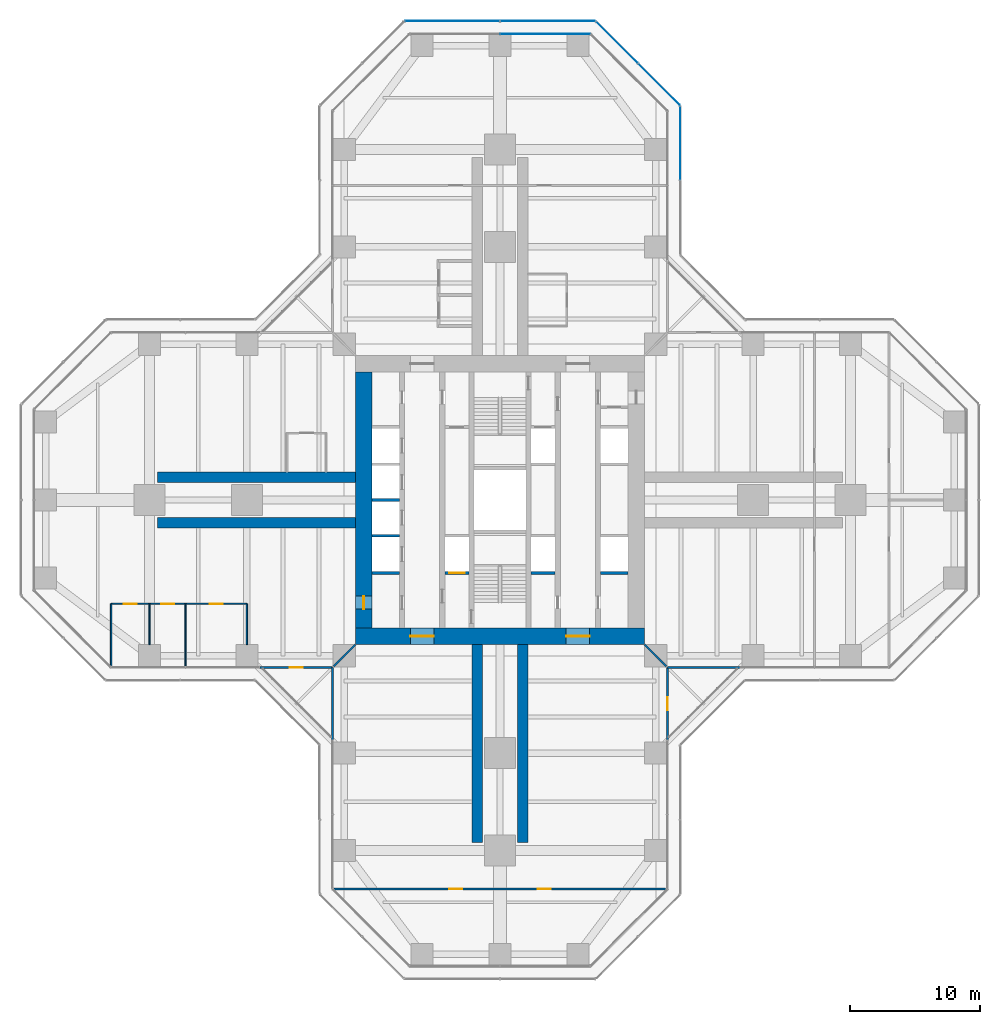
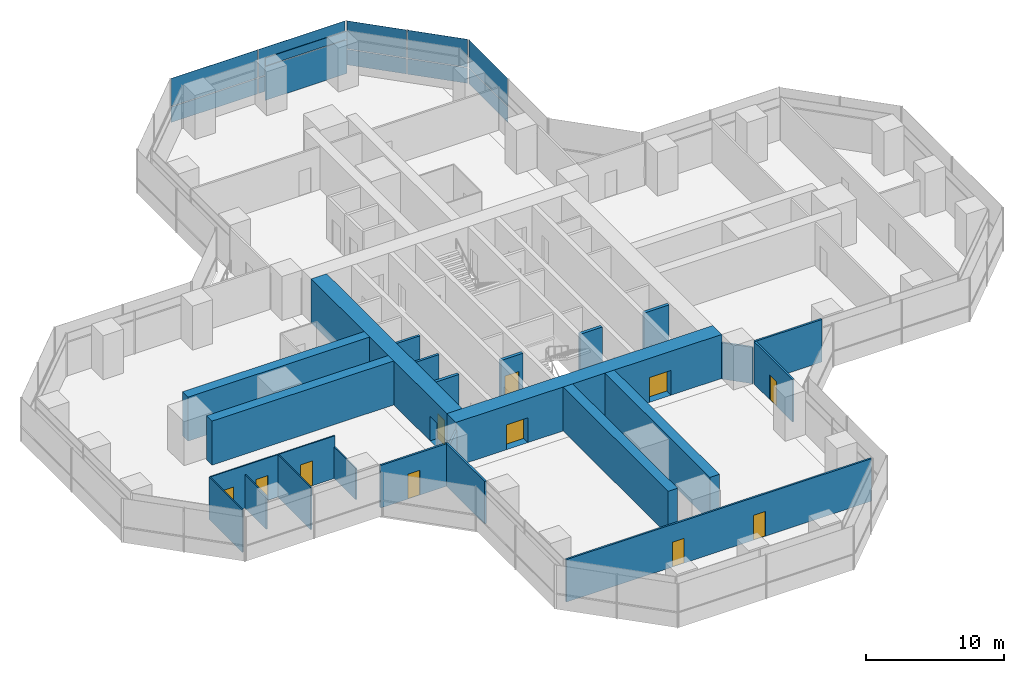
# One storey, part 17 of 22: 24 walls, 12 plates, 11 doors, 11 openings, 4 elements without a shape of their own.
"""IFC4 building model written with IfcOpenShell, lengths in metres."""

from ifc_helpers import new_model, si_unit, direction, frame, frame_2d, origin, origin_2d, place, context, subcontext, project, spatial, rectangle, extrude, material, layer, layer_set, type_object, element, fill, aggregate, save


model = new_model("IFC4")

# Units and contexts
model_context = context("Model", 3, precision=1e-05, world=origin(), true_north=direction((0.0, 1.0)))
body_context = subcontext(model_context, "Body", "Model", "MODEL_VIEW")
ifc_project = project(units=[si_unit("LENGTHUNIT", "METRE"), si_unit("AREAUNIT", "SQUARE_METRE"), si_unit("VOLUMEUNIT", "CUBIC_METRE"), si_unit("PLANEANGLEUNIT", "RADIAN"), si_unit("MASSUNIT", "GRAM", prefix="KILO")], contexts=[model_context])

# Site, building, storey
site_placement = place(None, origin())
site = spatial("IfcSite", under=ifc_project, at=site_placement, CompositionType="ELEMENT")
building_placement = place(site_placement, origin())
building = spatial("IfcBuilding", under=site, at=building_placement, Name="Mizan Broadcast Tower", CompositionType="ELEMENT")
storey_placement = place(building_placement, frame((0.0, 0.0, 74.699951171875)))
storey = spatial("IfcBuildingStorey", under=building, at=storey_placement, Name="L15", CompositionType="ELEMENT", Elevation=74.699951171875)

# Curtain wall, plates
ifc_material_1 = material(Name="Aluminium framed glazing", Category="aluminium")
curtain_wall_type_1 = type_object("IfcCurtainWallType", Name="INNER SKIN LOW ZONE", PredefinedType="USERDEFINED", material=ifc_material_1)
curtain_wall_1_placement = place(storey_placement, origin())
curtain_wall_1 = element("IfcCurtainWall", 1, at=curtain_wall_1_placement, inside=storey, type_object=curtain_wall_type_1, Name="Inner skin low zone L15 N end", ObjectType="INNER SKIN LOW ZONE", PredefinedType="USERDEFINED")
ifc_material_2 = material(Name="Double glazing, clear low-e", Category="glass")
ifc_layer_1 = layer(ifc_material_2, 0.028076171875)
ifc_layer_set_1 = layer_set([ifc_layer_1], Name="Double glazing, clear low-e")
plate_type_1 = type_object("IfcPlateType", Name="INNER SKIN GLAZING UNIT", PredefinedType="CURTAIN_PANEL", material=ifc_layer_set_1)
plate_1_placement = place(storey_placement, frame((3.46435546875, 35.89990234375, 0.0), z_axis=(0.0, 0.0, 1.0), x_axis=(-1.0, 0.0, 0.0)))
plate_1 = element("IfcPlate", 2, at=plate_1_placement, type_object=plate_type_1, Name="Inner skin low zone L15 N end panel 1.1", PredefinedType="CURTAIN_PANEL", context=body_context, shape_type="SweptSolid", body=[
    extrude(rectangle(XDim=6.86865234375, YDim=0.028076171875, at=origin_2d()), origin(), (0.0, 0.0, 1.0), 3.0),
])
ifc_material_3 = material(Name="Insulated aluminium spandrel panel, pale anodised", Category="aluminium")
ifc_layer_2 = layer(ifc_material_3, 0.050048828125)
ifc_layer_set_2 = layer_set([ifc_layer_2], Name="Insulated aluminium spandrel panel, pale anodised")
plate_type_2 = type_object("IfcPlateType", Name="INNER SKIN SPANDREL PANEL", PredefinedType="CURTAIN_PANEL", material=ifc_layer_set_2)
plate_2_placement = place(storey_placement, frame((3.46435546875, 35.89990234375, 3.06005859375), z_axis=(0.0, 0.0, 1.0), x_axis=(-1.0, 0.0, 0.0)))
plate_2 = element("IfcPlate", 3, at=plate_2_placement, type_object=plate_type_2, Name="Inner skin low zone L15 N end panel 1.2", PredefinedType="CURTAIN_PANEL", context=body_context, shape_type="SweptSolid", body=[
    extrude(rectangle(XDim=6.86865234375, YDim=0.050048828125, at=origin_2d()), origin(), (0.0, 0.0, 1.0), 0.7099609375),
])
aggregate(curtain_wall_1, [plate_1, plate_2])

ifc_material_4 = material(Name="Aluminium framed glazing", Category="aluminium")
curtain_wall_type_2 = type_object("IfcCurtainWallType", Name="OUTER SKIN", PredefinedType="USERDEFINED", material=ifc_material_4)
curtain_wall_2_placement = place(storey_placement, origin())
curtain_wall_2 = element("IfcCurtainWall", 4, at=curtain_wall_2_placement, inside=storey, type_object=curtain_wall_type_2, Name="Outer skin L15 N chamfer", ObjectType="OUTER SKIN", PredefinedType="USERDEFINED")
ifc_material_5 = material(Name="Laminated clear glass", Category="glass")
ifc_layer_3 = layer(ifc_material_5, 0.02001953125)
ifc_layer_set_3 = layer_set([ifc_layer_3], Name="Laminated clear glass")
plate_type_3 = type_object("IfcPlateType", Name="OUTER SKIN CLEAR GLASS", PredefinedType="CURTAIN_PANEL", material=ifc_layer_set_3)
plate_3_placement = place(storey_placement, frame((12.254150390625, 32.018798828125, 0.0), z_axis=(0.0, 0.0, 1.0), x_axis=(-0.707106781187, 0.707106781187, 0.0)))
plate_3 = element("IfcPlate", 5, at=plate_3_placement, type_object=plate_type_3, Name="Outer skin L15 N chamfer panel 1.1", PredefinedType="CURTAIN_PANEL", context=body_context, shape_type="SweptSolid", body=[
    extrude(rectangle(XDim=4.495361328125, YDim=0.02001953125, at=origin_2d()), origin(), (0.0, 0.0, 1.0), 1.3701171875),
])
plate_4_placement = place(storey_placement, frame((12.254150390625, 32.018798828125, 1.43017578125), z_axis=(0.0, 0.0, 1.0), x_axis=(-0.707106781187, 0.707106781187, 0.0)))
plate_4 = element("IfcPlate", 6, at=plate_4_placement, type_object=plate_type_3, Name="Outer skin L15 N chamfer panel 1.2", PredefinedType="CURTAIN_PANEL", context=body_context, shape_type="SweptSolid", body=[
    extrude(rectangle(XDim=4.495361328125, YDim=0.02001953125, at=origin_2d()), origin(), (0.0, 0.0, 1.0), 2.469970703125),
])

curtain_wall_3_placement = place(storey_placement, origin())
curtain_wall_3 = element("IfcCurtainWall", 7, at=curtain_wall_3_placement, inside=storey, type_object=curtain_wall_type_2, Name="Outer skin L15 N end", ObjectType="OUTER SKIN", PredefinedType="USERDEFINED")
plate_5_placement = place(storey_placement, frame((3.66650390625, 36.89990234375, 0.0), z_axis=(0.0, 0.0, 1.0), x_axis=(-1.0, 0.0, 0.0)))
plate_5 = element("IfcPlate", 8, at=plate_5_placement, type_object=plate_type_3, Name="Outer skin L15 N end panel 1.1", PredefinedType="CURTAIN_PANEL", context=body_context, shape_type="SweptSolid", body=[
    extrude(rectangle(XDim=7.252685546875, YDim=0.02001953125, at=origin_2d()), origin(), (0.0, 0.0, 1.0), 1.3701171875),
])
plate_6_placement = place(storey_placement, frame((3.66650390625, 36.89990234375, 1.43017578125), z_axis=(0.0, 0.0, 1.0), x_axis=(-1.0, 0.0, 0.0)))
plate_6 = element("IfcPlate", 9, at=plate_6_placement, type_object=plate_type_3, Name="Outer skin L15 N end panel 1.2", PredefinedType="CURTAIN_PANEL", context=body_context, shape_type="SweptSolid", body=[
    extrude(rectangle(XDim=7.252685546875, YDim=0.02001953125, at=origin_2d()), origin(), (0.0, 0.0, 1.0), 2.469970703125),
])
plate_7_placement = place(storey_placement, frame((-3.66650390625, 36.89990234375, 0.0), z_axis=(0.0, 0.0, 1.0), x_axis=(-1.0, 0.0, 0.0)))
plate_7 = element("IfcPlate", 10, at=plate_7_placement, type_object=plate_type_3, Name="Outer skin L15 N end panel 2.1", PredefinedType="CURTAIN_PANEL", context=body_context, shape_type="SweptSolid", body=[
    extrude(rectangle(XDim=7.252685546875, YDim=0.02001953125, at=origin_2d()), origin(), (0.0, 0.0, 1.0), 1.3701171875),
])
plate_8_placement = place(storey_placement, frame((-3.66650390625, 36.89990234375, 1.43017578125), z_axis=(0.0, 0.0, 1.0), x_axis=(-1.0, 0.0, 0.0)))
plate_8 = element("IfcPlate", 11, at=plate_8_placement, type_object=plate_type_3, Name="Outer skin L15 N end panel 2.2", PredefinedType="CURTAIN_PANEL", context=body_context, shape_type="SweptSolid", body=[
    extrude(rectangle(XDim=7.252685546875, YDim=0.02001953125, at=origin_2d()), origin(), (0.0, 0.0, 1.0), 2.469970703125),
])
aggregate(curtain_wall_3, [plate_5, plate_6, plate_7, plate_8])

curtain_wall_4_placement = place(storey_placement, origin())
curtain_wall_4 = element("IfcCurtainWall", 12, at=curtain_wall_4_placement, inside=storey, type_object=curtain_wall_type_2, Name="Outer skin L15 N side", ObjectType="OUTER SKIN", PredefinedType="USERDEFINED")
ifc_material_6 = material(Name="Perforated aluminium, pale anodised", Category="aluminium")
ifc_layer_4 = layer(ifc_material_6, 0.011962890625)
ifc_layer_set_4 = layer_set([ifc_layer_4], Name="Perforated aluminium, pale anodised")
plate_type_4 = type_object("IfcPlateType", Name="OUTER SKIN PERFORATED SCREEN", PredefinedType="USERDEFINED", material=ifc_layer_set_4)
plate_9_placement = place(storey_placement, frame((13.89990234375, 27.477783203125, 0.0), z_axis=(0.0, 0.0, 1.0), x_axis=(0.0, 1.0, 0.0)))
plate_9 = element("IfcPlate", 13, at=plate_9_placement, type_object=plate_type_4, Name="Outer skin L15 N side panel 2.1", ObjectType="SCREEN", PredefinedType="USERDEFINED", context=body_context, shape_type="SweptSolid", body=[
    extrude(rectangle(XDim=5.6298828125, YDim=0.011962890625, at=origin_2d()), origin(), (0.0, 0.0, 1.0), 1.3701171875),
])
plate_10_placement = place(storey_placement, frame((13.89990234375, 27.477783203125, 1.43017578125), z_axis=(0.0, 0.0, 1.0), x_axis=(0.0, 1.0, 0.0)))
plate_10 = element("IfcPlate", 14, at=plate_10_placement, type_object=plate_type_4, Name="Outer skin L15 N side panel 2.2", ObjectType="SCREEN", PredefinedType="USERDEFINED", context=body_context, shape_type="SweptSolid", body=[
    extrude(rectangle(XDim=5.6298828125, YDim=0.011962890625, at=origin_2d()), origin(), (0.0, 0.0, 1.0), 2.469970703125),
])
aggregate(curtain_wall_4, [plate_9, plate_10])

# Plate
plate_11_placement = place(storey_placement, frame((9.018798828125, 35.254150390625, 0.0), z_axis=(0.0, 0.0, 1.0), x_axis=(-0.707106781187, 0.707106781187, 0.0)))
plate_11 = element("IfcPlate", 15, at=plate_11_placement, type_object=plate_type_4, Name="Outer skin L15 N chamfer panel 2.1", ObjectType="SCREEN", PredefinedType="USERDEFINED", context=body_context, shape_type="SweptSolid", body=[
    extrude(rectangle(XDim=4.495361328125, YDim=0.011962890625, at=origin_2d()), origin(), (0.0, 0.0, 1.0), 1.3701171875),
])

plate_12_placement = place(storey_placement, frame((9.018798828125, 35.254150390625, 1.43017578125), z_axis=(0.0, 0.0, 1.0), x_axis=(-0.707106781187, 0.707106781187, 0.0)))
plate_12 = element("IfcPlate", 16, at=plate_12_placement, type_object=plate_type_4, Name="Outer skin L15 N chamfer panel 2.2", ObjectType="SCREEN", PredefinedType="USERDEFINED", context=body_context, shape_type="SweptSolid", body=[
    extrude(rectangle(XDim=4.495361328125, YDim=0.011962890625, at=origin_2d()), origin(), (0.0, 0.0, 1.0), 2.469970703125),
])

aggregate(curtain_wall_2, [plate_3, plate_4, plate_11, plate_12])

# Wall, openings, doors
ifc_material_7 = material(Name="Concrete C70/85", Category="concrete")
ifc_layer_5 = layer(ifc_material_7, 1.300048828125)
ifc_layer_set_5 = layer_set([ifc_layer_5], Name="Concrete C70/85")
wall_type_1 = type_object("IfcWallType", Name="CORE WALL 1300", PredefinedType="SHEAR", material=ifc_layer_set_5)
wall_1_placement = place(storey_placement, frame((11.14990234375, -10.5, 0.0), z_axis=(0.0, 0.0, 1.0), x_axis=(-1.0, 0.0, 0.0)))
wall_1 = element("IfcWall", 17, at=wall_1_placement, inside=storey, type_object=wall_type_1, Name="Core wall S L15", PredefinedType="SHEAR", context=body_context, shape_type="SweptSolid", body=[
    extrude(rectangle(XDim=22.2998046875, YDim=1.300048828125, at=frame_2d((11.14990234375, 0.0))), origin(), (0.0, 0.0, 1.0), 3.900146484375),
])
opening_1_placement = place(wall_1_placement, frame((16.25, 0.0, 0.0)))
opening_1 = element("IfcOpeningElement", 18, at=opening_1_placement, cuts=wall_1, Name="Opening D18F", PredefinedType="OPENING", context=body_context, shape_type="SweptSolid", body=[
    extrude(rectangle(XDim=1.800048828125, YDim=2.199951171875, at=frame_2d((0.89990234375, 1.10009765625))), frame((0.0, 0.659912109375, 0.0), z_axis=(0.0, -1.0, 0.0), x_axis=(1.0, 0.0, 0.0)), (0.0, 0.0, 1.0), 1.320068359375),
])
opening_2_placement = place(wall_1_placement, frame((4.25, 0.0, 0.0)))
opening_2 = element("IfcOpeningElement", 19, at=opening_2_placement, cuts=wall_1, Name="Opening D18F", PredefinedType="OPENING", context=body_context, shape_type="SweptSolid", body=[
    extrude(rectangle(XDim=1.800048828125, YDim=2.199951171875, at=frame_2d((0.89990234375, 1.10009765625))), frame((0.0, 0.659912109375, 0.0), z_axis=(0.0, -1.0, 0.0), x_axis=(1.0, 0.0, 0.0)), (0.0, 0.0, 1.0), 1.320068359375),
])
ifc_material_8 = material(Name="Steel door leaf in steel frame", Category="steel")
door_type_1 = type_object("IfcDoorType", Name="LOBBY DOUBLE DOOR 1800 FD90", OperationType="DOUBLE_DOOR_DOUBLE_SWING", PredefinedType="DOOR", material=ifc_material_8)
door_1_placement = place(opening_1_placement, origin())
door_1 = element("IfcDoor", 20, at=door_1_placement, inside=storey, type_object=door_type_1, Name="West lift lobby south door", OperationType="DOUBLE_DOOR_DOUBLE_SWING", OverallHeight=2.199951171875, OverallWidth=1.800048828125, PredefinedType="DOOR", context=body_context, shape_type="SweptSolid", body=[
    extrude(rectangle(XDim=1.800048828125, YDim=2.199951171875, at=frame_2d((0.89990234375, 1.10009765625))), frame((0.0, 0.02490234375, 0.0), z_axis=(0.0, -1.0, 0.0), x_axis=(1.0, 0.0, 0.0)), (0.0, 0.0, 1.0), 0.050048828125),
])
fill(opening_1, door_1)
door_2_placement = place(opening_2_placement, origin())
door_2 = element("IfcDoor", 21, at=door_2_placement, inside=storey, type_object=door_type_1, Name="East lift lobby south door", OperationType="DOUBLE_DOOR_DOUBLE_SWING", OverallHeight=2.199951171875, OverallWidth=1.800048828125, PredefinedType="DOOR", context=body_context, shape_type="SweptSolid", body=[
    extrude(rectangle(XDim=1.800048828125, YDim=2.199951171875, at=frame_2d((0.89990234375, 1.10009765625))), frame((0.0, 0.02490234375, 0.0), z_axis=(0.0, -1.0, 0.0), x_axis=(1.0, 0.0, 0.0)), (0.0, 0.0, 1.0), 0.050048828125),
])
fill(opening_2, door_2)

# Wall, opening, door
wall_2_placement = place(storey_placement, frame((-10.5, 9.85009765625, 0.0), z_axis=(0.0, 0.0, 1.0), x_axis=(0.0, -1.0, 0.0)))
wall_2 = element("IfcWall", 22, at=wall_2_placement, inside=storey, type_object=wall_type_1, Name="Core wall W L15", PredefinedType="SHEAR", context=body_context, shape_type="SweptSolid", body=[
    extrude(rectangle(XDim=19.7001953125, YDim=1.300048828125, at=frame_2d((9.85009765625, 0.0))), origin(), (0.0, 0.0, 1.0), 3.900146484375),
])
opening_3_placement = place(wall_2_placement, frame((17.25, 0.0, 0.0)))
opening_3 = element("IfcOpeningElement", 23, at=opening_3_placement, cuts=wall_2, Name="Opening D10F", PredefinedType="OPENING", context=body_context, shape_type="SweptSolid", body=[
    extrude(rectangle(XDim=1.0, YDim=2.199951171875, at=frame_2d((0.5, 1.10009765625))), frame((0.0, 0.659912109375, 0.0), z_axis=(0.0, -1.0, 0.0), x_axis=(1.0, 0.0, 0.0)), (0.0, 0.0, 1.0), 1.320068359375),
])
ifc_material_9 = material(Name="Steel door leaf in steel frame", Category="steel")
door_type_2 = type_object("IfcDoorType", Name="FIRE DOOR 1000 FD90", OperationType="SINGLE_SWING_LEFT", PredefinedType="DOOR", material=ifc_material_9)
door_3_placement = place(opening_3_placement, origin())
door_3 = element("IfcDoor", 24, at=door_3_placement, inside=storey, type_object=door_type_2, Name="West core passage arm door", OperationType="SINGLE_SWING_RIGHT", OverallHeight=2.199951171875, OverallWidth=1.0, PredefinedType="DOOR", context=body_context, shape_type="SweptSolid", body=[
    extrude(rectangle(XDim=1.0, YDim=2.199951171875, at=frame_2d((0.5, 1.10009765625))), frame((0.0, 0.02490234375, 0.0), z_axis=(0.0, -1.0, 0.0), x_axis=(1.0, 0.0, 0.0)), (0.0, 0.0, 1.0), 0.050048828125),
])
fill(opening_3, door_3)

# Wall
ifc_material_10 = material(Name="Aluminium framed glazed screen", Category="aluminium")
ifc_layer_6 = layer(ifc_material_10, 0.159912109375)
ifc_layer_set_6 = layer_set([ifc_layer_6], Name="Aluminium framed glazed screen")
wall_type_2 = type_object("IfcWallType", Name="GLAZED SCREEN WALL 160", PredefinedType="SOLIDWALL", material=ifc_layer_set_6)
wall_3_placement = place(storey_placement, frame((12.89990234375, -12.89990234375, 0.0), z_axis=(0.0, 0.0, 1.0), x_axis=(1.0, 0.0, 0.0)))
element("IfcWall", 25, at=wall_3_placement, inside=storey, type_object=wall_type_2, Name="Winter garden screen L15 E", PredefinedType="SOLIDWALL", context=body_context, shape_type="SweptSolid", body=[
    extrude(rectangle(XDim=5.60009765625, YDim=0.159912109375, at=frame_2d((2.800048828125, 0.0))), origin(), (0.0, 0.0, 1.0), 3.77001953125),
])

# Wall, opening, door
wall_4_placement = place(storey_placement, frame((-18.5, -12.89990234375, 0.0), z_axis=(0.0, 0.0, 1.0), x_axis=(1.0, 0.0, 0.0)))
wall_4 = element("IfcWall", 26, at=wall_4_placement, inside=storey, type_object=wall_type_2, Name="Winter garden screen L15 W", PredefinedType="SOLIDWALL", context=body_context, shape_type="SweptSolid", body=[
    extrude(rectangle(XDim=5.60009765625, YDim=0.159912109375, at=frame_2d((2.800048828125, 0.0))), origin(), (0.0, 0.0, 1.0), 3.77001953125),
])
opening_4_placement = place(wall_4_placement, frame((2.300048828125, 0.0, 0.0)))
opening_4 = element("IfcOpeningElement", 27, at=opening_4_placement, cuts=wall_4, Name="Opening WGD", PredefinedType="OPENING", context=body_context, shape_type="SweptSolid", body=[
    extrude(rectangle(XDim=1.0, YDim=2.199951171875, at=frame_2d((0.5, 1.10009765625))), frame((0.0, 0.08984375, 0.0), z_axis=(0.0, -1.0, 0.0), x_axis=(1.0, 0.0, 0.0)), (0.0, 0.0, 1.0), 0.179931640625),
])
ifc_material_11 = material(Name="Aluminium framed glazed door", Category="aluminium")
door_type_3 = type_object("IfcDoorType", Name="WINTER GARDEN DOOR 1000 GLAZED", OperationType="SINGLE_SWING_LEFT", PredefinedType="DOOR", material=ifc_material_11)
door_4_placement = place(opening_4_placement, origin())
door_4 = element("IfcDoor", 28, at=door_4_placement, inside=storey, type_object=door_type_3, Name="Winter garden door L15 W", OperationType="SINGLE_SWING_RIGHT", OverallHeight=2.199951171875, OverallWidth=1.0, PredefinedType="DOOR", context=body_context, shape_type="SweptSolid", body=[
    extrude(rectangle(XDim=1.0, YDim=2.199951171875, at=frame_2d((0.5, 1.10009765625))), frame((0.0, 0.02490234375, 0.0), z_axis=(0.0, -1.0, 0.0), x_axis=(1.0, 0.0, 0.0)), (0.0, 0.0, 1.0), 0.050048828125),
])
fill(opening_4, door_4)

# Wall
wall_5_placement = place(storey_placement, frame((-12.89990234375, -12.89990234375, 0.0), z_axis=(0.0, 0.0, 1.0), x_axis=(0.0, -1.0, 0.0)))
element("IfcWall", 29, at=wall_5_placement, inside=storey, type_object=wall_type_2, Name="Winter garden screen L15 S", PredefinedType="SOLIDWALL", context=body_context, shape_type="SweptSolid", body=[
    extrude(rectangle(XDim=5.60009765625, YDim=0.159912109375, at=frame_2d((2.800048828125, 0.0))), origin(), (0.0, 0.0, 1.0), 3.77001953125),
])

# Wall, opening, door
wall_6_placement = place(storey_placement, frame((12.89990234375, -18.5, 0.0), z_axis=(0.0, 0.0, 1.0), x_axis=(0.0, 1.0, 0.0)))
wall_6 = element("IfcWall", 30, at=wall_6_placement, inside=storey, type_object=wall_type_2, Name="Winter garden screen L15 S", PredefinedType="SOLIDWALL", context=body_context, shape_type="SweptSolid", body=[
    extrude(rectangle(XDim=5.60009765625, YDim=0.159912109375, at=frame_2d((2.800048828125, 0.0))), origin(), (0.0, 0.0, 1.0), 3.77001953125),
])
opening_5_placement = place(wall_6_placement, frame((2.300048828125, 0.0, 0.0)))
opening_5 = element("IfcOpeningElement", 31, at=opening_5_placement, cuts=wall_6, Name="Opening WGD", PredefinedType="OPENING", context=body_context, shape_type="SweptSolid", body=[
    extrude(rectangle(XDim=1.0, YDim=2.199951171875, at=frame_2d((0.5, 1.10009765625))), frame((0.0, 0.08984375, 0.0), z_axis=(0.0, -1.0, 0.0), x_axis=(1.0, 0.0, 0.0)), (0.0, 0.0, 1.0), 0.179931640625),
])
door_5_placement = place(opening_5_placement, origin())
door_5 = element("IfcDoor", 32, at=door_5_placement, inside=storey, type_object=door_type_3, Name="Winter garden door L15 S", OperationType="SINGLE_SWING_RIGHT", OverallHeight=2.199951171875, OverallWidth=1.0, PredefinedType="DOOR", context=body_context, shape_type="SweptSolid", body=[
    extrude(rectangle(XDim=1.0, YDim=2.199951171875, at=frame_2d((0.5, 1.10009765625))), frame((0.0, 0.02490234375, 0.0), z_axis=(0.0, -1.0, 0.0), x_axis=(1.0, 0.0, 0.0)), (0.0, 0.0, 1.0), 0.050048828125),
])
fill(opening_5, door_5)

# Walls
ifc_material_12 = material(Name="Concrete blockwork", Category="masonry")
ifc_layer_7 = layer(ifc_material_12, 0.199951171875)
ifc_layer_set_7 = layer_set([ifc_layer_7], Name="Concrete blockwork")
wall_type_3 = type_object("IfcWallType", Name="LIFT SHAFT WALL 200", PredefinedType="SOLIDWALL", material=ifc_layer_set_7)
for number, where, z_axis, x_axis, name in (
    (33, (-9.85009765625, -2.75, 0.0), (0.0, 0.0, 1.0), (1.0, 0.0, 0.0), "Lift shaft wall CORE/SW1-1"),
    (34, (-9.85009765625, 0.0, 0.0), (0.0, 0.0, 1.0), (1.0, 0.0, 0.0), "Lift shaft wall CORE/SW1-2"),
):
    element("IfcWall", number, at=place(storey_placement, frame(where, z_axis=z_axis, x_axis=x_axis)), inside=storey, type_object=wall_type_3, Name=name, PredefinedType="SOLIDWALL", context=body_context, shape_type="SweptSolid", body=[
        extrude(rectangle(XDim=2.10009765625, YDim=0.199951171875, at=frame_2d((1.050048828125, 0.0))), origin(), (0.0, 0.0, 1.0), 3.699951171875),
    ])
ifc_material_13 = material(Name="Concrete blockwork", Category="masonry")
ifc_layer_8 = layer(ifc_material_13, 0.25)
ifc_layer_set_8 = layer_set([ifc_layer_8], Name="Concrete blockwork")
wall_type_4 = type_object("IfcWallType", Name="LOBBY ENCLOSURE WALL 250", PredefinedType="SOLIDWALL", material=ifc_layer_set_8)
wall_7_placement = place(storey_placement, frame((-9.85009765625, -5.625, 0.0), z_axis=(0.0, 0.0, 1.0), x_axis=(1.0, 0.0, 0.0)))
element("IfcWall", 35, at=wall_7_placement, inside=storey, type_object=wall_type_4, Name="Lobby enclosure wall CORE/BW1S", PredefinedType="SOLIDWALL", context=body_context, shape_type="SweptSolid", body=[
    extrude(rectangle(XDim=2.10009765625, YDim=0.25, at=frame_2d((1.050048828125, 0.0))), origin(), (0.0, 0.0, 1.0), 3.699951171875),
])

# Wall, opening, door
wall_8_placement = place(storey_placement, frame((-4.25, -5.625, 0.0), z_axis=(0.0, 0.0, 1.0), x_axis=(1.0, 0.0, 0.0)))
wall_8 = element("IfcWall", 36, at=wall_8_placement, inside=storey, type_object=wall_type_4, Name="Lobby enclosure wall CORE/BW2S", PredefinedType="SOLIDWALL", context=body_context, shape_type="SweptSolid", body=[
    extrude(rectangle(XDim=1.85009765625, YDim=0.25, at=frame_2d((0.925048828125, 0.0))), origin(), (0.0, 0.0, 1.0), 3.699951171875),
])
opening_6_placement = place(wall_8_placement, frame((0.324951171875, 0.0, 0.0)))
opening_6 = element("IfcOpeningElement", 37, at=opening_6_placement, cuts=wall_8, Name="Opening LDF", PredefinedType="OPENING", context=body_context, shape_type="SweptSolid", body=[
    extrude(rectangle(XDim=1.199951171875, YDim=2.199951171875, at=frame_2d((0.60009765625, 1.10009765625))), frame((0.0, 0.135009765625, 0.0), z_axis=(0.0, -1.0, 0.0), x_axis=(1.0, 0.0, 0.0)), (0.0, 0.0, 1.0), 0.27001953125),
])
ifc_material_14 = material(Name="Steel door leaf in steel frame", Category="steel")
door_type_4 = type_object("IfcDoorType", Name="FIREFIGHTING LIFT LANDING DOOR 1200", OperationType="SLIDING_TO_LEFT", PredefinedType="DOOR", material=ifc_material_14)
door_6_placement = place(opening_6_placement, origin())
door_6 = element("IfcDoor", 38, at=door_6_placement, inside=storey, type_object=door_type_4, Name="Landing door FF1", OperationType="SLIDING_TO_LEFT", OverallHeight=2.199951171875, OverallWidth=1.199951171875, PredefinedType="DOOR", context=body_context, shape_type="SweptSolid", body=[
    extrude(rectangle(XDim=1.199951171875, YDim=2.199951171875, at=frame_2d((0.60009765625, 1.10009765625))), frame((0.0, 0.02490234375, 0.0), z_axis=(0.0, -1.0, 0.0), x_axis=(1.0, 0.0, 0.0)), (0.0, 0.0, 1.0), 0.050048828125),
])
fill(opening_6, door_6)

# Walls
wall_9_placement = place(storey_placement, frame((2.39990234375, -5.625, 0.0), z_axis=(0.0, 0.0, 1.0), x_axis=(1.0, 0.0, 0.0)))
element("IfcWall", 39, at=wall_9_placement, inside=storey, type_object=wall_type_4, Name="Lobby enclosure wall CORE/BE2S", PredefinedType="SOLIDWALL", context=body_context, shape_type="SweptSolid", body=[
    extrude(rectangle(XDim=1.85009765625, YDim=0.25, at=frame_2d((0.925048828125, 0.0))), origin(), (0.0, 0.0, 1.0), 3.699951171875),
])
wall_10_placement = place(storey_placement, frame((7.75, -5.625, 0.0), z_axis=(0.0, 0.0, 1.0), x_axis=(1.0, 0.0, 0.0)))
element("IfcWall", 40, at=wall_10_placement, inside=storey, type_object=wall_type_4, Name="Lobby enclosure wall CORE/BE1S", PredefinedType="SOLIDWALL", context=body_context, shape_type="SweptSolid", body=[
    extrude(rectangle(XDim=2.10009765625, YDim=0.25, at=frame_2d((1.050048828125, 0.0))), origin(), (0.0, 0.0, 1.0), 3.699951171875),
])

# Wall, openings, doors
ifc_material_15 = material(Name="Gypsum board on steel studs", Category="steel")
ifc_layer_9 = layer(ifc_material_15, 0.14990234375)
ifc_layer_set_9 = layer_set([ifc_layer_9], Name="Gypsum board on steel studs")
wall_type_5 = type_object("IfcWallType", Name="PARTITION 150", PredefinedType="PARTITIONING", material=ifc_layer_set_9)
wall_11_placement = place(storey_placement, frame((-12.786376953125, -29.958984375, 0.0), z_axis=(0.0, 0.0, 1.0), x_axis=(1.0, 0.0, 0.0)))
wall_11 = element("IfcWall", 41, at=wall_11_placement, inside=storey, type_object=wall_type_5, Name="Partition PT/SX1", PredefinedType="PARTITIONING", context=body_context, shape_type="SweptSolid", body=[
    extrude(rectangle(XDim=25.57275390625, YDim=0.14990234375, at=frame_2d((12.786376953125, 0.0))), origin(), (0.0, 0.0, 1.0), 3.77001953125),
])
opening_7_placement = place(wall_11_placement, frame((15.6865234375, 0.0, 0.0)))
opening_7 = element("IfcOpeningElement", 42, at=opening_7_placement, cuts=wall_11, Name="Opening D10", PredefinedType="OPENING", context=body_context, shape_type="SweptSolid", body=[
    extrude(rectangle(XDim=1.0, YDim=2.199951171875, at=frame_2d((0.5, 1.10009765625))), frame((0.0, 0.0849609375, 0.0), z_axis=(0.0, -1.0, 0.0), x_axis=(1.0, 0.0, 0.0)), (0.0, 0.0, 1.0), 0.169921875),
])
opening_8_placement = place(wall_11_placement, frame((8.886474609375, 0.0, 0.0)))
opening_8 = element("IfcOpeningElement", 43, at=opening_8_placement, cuts=wall_11, Name="Opening D10", PredefinedType="OPENING", context=body_context, shape_type="SweptSolid", body=[
    extrude(rectangle(XDim=1.0, YDim=2.199951171875, at=frame_2d((0.5, 1.10009765625))), frame((0.0, 0.0849609375, 0.0), z_axis=(0.0, -1.0, 0.0), x_axis=(1.0, 0.0, 0.0)), (0.0, 0.0, 1.0), 0.169921875),
])
ifc_material_16 = material(Name="Timber door leaf in aluminium frame", Category="wood")
door_type_5 = type_object("IfcDoorType", Name="ROOM DOOR 1000", OperationType="SINGLE_SWING_LEFT", PredefinedType="DOOR", material=ifc_material_16)
door_7_placement = place(opening_7_placement, origin())
door_7 = element("IfcDoor", 44, at=door_7_placement, inside=storey, type_object=door_type_5, Name="Video studio door", OperationType="SINGLE_SWING_RIGHT", OverallHeight=2.199951171875, OverallWidth=1.0, PredefinedType="DOOR", context=body_context, shape_type="SweptSolid", body=[
    extrude(rectangle(XDim=1.0, YDim=2.199951171875, at=frame_2d((0.5, 1.10009765625))), frame((0.0, 0.02490234375, 0.0), z_axis=(0.0, -1.0, 0.0), x_axis=(1.0, 0.0, 0.0)), (0.0, 0.0, 1.0), 0.050048828125),
])
fill(opening_7, door_7)
door_8_placement = place(opening_8_placement, origin())
door_8 = element("IfcDoor", 45, at=door_8_placement, inside=storey, type_object=door_type_5, Name="Video studio door", OperationType="SINGLE_SWING_LEFT", OverallHeight=2.199951171875, OverallWidth=1.0, PredefinedType="DOOR", context=body_context, shape_type="SweptSolid", body=[
    extrude(rectangle(XDim=1.0, YDim=2.199951171875, at=frame_2d((0.5, 1.10009765625))), frame((0.0, 0.02490234375, 0.0), z_axis=(0.0, -1.0, 0.0), x_axis=(1.0, 0.0, 0.0)), (0.0, 0.0, 1.0), 0.050048828125),
])
fill(opening_8, door_8)

# Walls
for number, where, z_axis, x_axis, name in (
    (46, (-11.14990234375, -11.14990234375, 0.0), (0.0, 0.0, 1.0), (-0.707106781187, -0.707106781187, 0.0), "Partition PT/DGWS"),
    (47, (11.14990234375, -11.14990234375, 0.0), (0.0, 0.0, 1.0), (0.707106781187, -0.707106781187, 0.0), "Partition PT/DGES"),
):
    element("IfcWall", number, at=place(storey_placement, frame(where, z_axis=z_axis, x_axis=x_axis)), inside=storey, type_object=wall_type_5, Name=name, PredefinedType="PARTITIONING", context=body_context, shape_type="SweptSolid", body=[
        extrude(rectangle(XDim=2.362060546875, YDim=0.14990234375, at=frame_2d((1.18115234375, 0.0))), origin(), (0.0, 0.0, 1.0), 3.219970703125),
    ])

# Wall, openings, doors
ifc_material_17 = material(Name="Glazed aluminium partition on aluminium track", Category="aluminium")
ifc_layer_10 = layer(ifc_material_17, 0.10009765625)
ifc_layer_set_10 = layer_set([ifc_layer_10], Name="Glazed aluminium partition on aluminium track")
wall_type_6 = type_object("IfcWallType", Name="PARTITION GLAZED OFFICE FRONT 100", PredefinedType="PARTITIONING", material=ifc_layer_set_10)
wall_12_placement = place(storey_placement, frame((-19.5, -8.0, 0.0), z_axis=(0.0, 0.0, 1.0), x_axis=(-1.0, 0.0, 0.0)))
wall_12 = element("IfcWall", 48, at=wall_12_placement, inside=storey, type_object=wall_type_6, Name="Glazed office front PT/WCP0", PredefinedType="PARTITIONING", context=body_context, shape_type="SweptSolid", body=[
    extrude(rectangle(XDim=10.458984375, YDim=0.10009765625, at=frame_2d((5.2294921875, 0.0))), origin(), (0.0, 0.0, 1.0), 3.77001953125),
])
opening_9_placement = place(wall_12_placement, frame((1.864501953125, 0.0, 0.0)))
opening_9 = element("IfcOpeningElement", 49, at=opening_9_placement, cuts=wall_12, Name="Opening D10O", PredefinedType="OPENING", context=body_context, shape_type="SweptSolid", body=[
    extrude(rectangle(XDim=1.0, YDim=2.199951171875, at=frame_2d((0.5, 1.10009765625))), frame((0.0, 0.06005859375, 0.0), z_axis=(0.0, -1.0, 0.0), x_axis=(1.0, 0.0, 0.0)), (0.0, 0.0, 1.0), 0.1201171875),
])
opening_10_placement = place(wall_12_placement, frame((5.614501953125, 0.0, 0.0)))
opening_10 = element("IfcOpeningElement", 50, at=opening_10_placement, cuts=wall_12, Name="Opening D10O", PredefinedType="OPENING", context=body_context, shape_type="SweptSolid", body=[
    extrude(rectangle(XDim=1.0, YDim=2.199951171875, at=frame_2d((0.5, 1.10009765625))), frame((0.0, 0.06005859375, 0.0), z_axis=(0.0, -1.0, 0.0), x_axis=(1.0, 0.0, 0.0)), (0.0, 0.0, 1.0), 0.1201171875),
])
opening_11_placement = place(wall_12_placement, frame((8.4794921875, 0.0, 0.0)))
opening_11 = element("IfcOpeningElement", 51, at=opening_11_placement, cuts=wall_12, Name="Opening D10O", PredefinedType="OPENING", context=body_context, shape_type="SweptSolid", body=[
    extrude(rectangle(XDim=1.0, YDim=2.199951171875, at=frame_2d((0.5, 1.10009765625))), frame((0.0, 0.06005859375, 0.0), z_axis=(0.0, -1.0, 0.0), x_axis=(1.0, 0.0, 0.0)), (0.0, 0.0, 1.0), 0.1201171875),
])
ifc_material_18 = material(Name="Timber door leaf in aluminium frame", Category="wood")
door_type_6 = type_object("IfcDoorType", Name="OFFICE DOOR 1000 GLAZED", OperationType="SINGLE_SWING_LEFT", PredefinedType="DOOR", material=ifc_material_18)
door_9_placement = place(opening_9_placement, origin())
door_9 = element("IfcDoor", 52, at=door_9_placement, inside=storey, type_object=door_type_6, Name="Meeting room door", OperationType="SINGLE_SWING_LEFT", OverallHeight=2.199951171875, OverallWidth=1.0, PredefinedType="DOOR", context=body_context, shape_type="SweptSolid", body=[
    extrude(rectangle(XDim=1.0, YDim=2.199951171875, at=frame_2d((0.5, 1.10009765625))), frame((0.0, 0.02490234375, 0.0), z_axis=(0.0, -1.0, 0.0), x_axis=(1.0, 0.0, 0.0)), (0.0, 0.0, 1.0), 0.050048828125),
])
fill(opening_9, door_9)
door_10_placement = place(opening_10_placement, origin())
door_10 = element("IfcDoor", 53, at=door_10_placement, inside=storey, type_object=door_type_6, Name="Quiet room door", OperationType="SINGLE_SWING_RIGHT", OverallHeight=2.199951171875, OverallWidth=1.0, PredefinedType="DOOR", context=body_context, shape_type="SweptSolid", body=[
    extrude(rectangle(XDim=1.0, YDim=2.199951171875, at=frame_2d((0.5, 1.10009765625))), frame((0.0, 0.02490234375, 0.0), z_axis=(0.0, -1.0, 0.0), x_axis=(1.0, 0.0, 0.0)), (0.0, 0.0, 1.0), 0.050048828125),
])
fill(opening_10, door_10)
door_11_placement = place(opening_11_placement, origin())
door_11 = element("IfcDoor", 54, at=door_11_placement, inside=storey, type_object=door_type_6, Name="Quiet room door", OperationType="SINGLE_SWING_RIGHT", OverallHeight=2.199951171875, OverallWidth=1.0, PredefinedType="DOOR", context=body_context, shape_type="SweptSolid", body=[
    extrude(rectangle(XDim=1.0, YDim=2.199951171875, at=frame_2d((0.5, 1.10009765625))), frame((0.0, 0.02490234375, 0.0), z_axis=(0.0, -1.0, 0.0), x_axis=(1.0, 0.0, 0.0)), (0.0, 0.0, 1.0), 0.050048828125),
])
fill(opening_11, door_11)

# Walls
wall_13_placement = place(storey_placement, frame((-19.5, -8.0, 0.0), z_axis=(0.0, 0.0, 1.0), x_axis=(0.0, -1.0, 0.0)))
element("IfcWall", 55, at=wall_13_placement, inside=storey, type_object=wall_type_6, Name="Glazed office front PT/WQP1950", PredefinedType="PARTITIONING", context=body_context, shape_type="SweptSolid", body=[
    extrude(rectangle(XDim=3.14990234375, YDim=0.10009765625, at=frame_2d((1.574951171875, 0.0))), origin(), (0.0, 0.0, 1.0), 2.77001953125),
])
wall_14_placement = place(storey_placement, frame((-24.22900390625, -8.0, 0.0), z_axis=(0.0, 0.0, 1.0), x_axis=(0.0, -1.0, 0.0)))
element("IfcWall", 56, at=wall_14_placement, inside=storey, type_object=wall_type_6, Name="Glazed office front PT/WQP2423", PredefinedType="PARTITIONING", context=body_context, shape_type="SweptSolid", body=[
    extrude(rectangle(XDim=4.820068359375, YDim=0.10009765625, at=frame_2d((2.41015625, 0.0))), origin(), (0.0, 0.0, 1.0), 3.77001953125),
])
wall_15_placement = place(storey_placement, frame((-27.0, -8.0, 0.0), z_axis=(0.0, 0.0, 1.0), x_axis=(0.0, -1.0, 0.0)))
element("IfcWall", 57, at=wall_15_placement, inside=storey, type_object=wall_type_6, Name="Glazed office front PT/WQP2700", PredefinedType="PARTITIONING", context=body_context, shape_type="SweptSolid", body=[
    extrude(rectangle(XDim=3.14990234375, YDim=0.10009765625, at=frame_2d((1.574951171875, 0.0))), origin(), (0.0, 0.0, 1.0), 2.969970703125),
])
wall_16_placement = place(storey_placement, frame((-29.958984375, -8.0, 0.0), z_axis=(0.0, 0.0, 1.0), x_axis=(0.0, -1.0, 0.0)))
element("IfcWall", 58, at=wall_16_placement, inside=storey, type_object=wall_type_6, Name="Glazed office front PT/WQP2996", PredefinedType="PARTITIONING", context=body_context, shape_type="SweptSolid", body=[
    extrude(rectangle(XDim=4.820068359375, YDim=0.10009765625, at=frame_2d((2.41015625, 0.0))), origin(), (0.0, 0.0, 1.0), 3.77001953125),
])
ifc_material_19 = material(Name="Concrete C70/85", Category="concrete")
ifc_layer_11 = layer(ifc_material_19, 0.800048828125)
ifc_layer_set_11 = layer_set([ifc_layer_11], Name="Concrete C70/85")
wall_type_7 = type_object("IfcWallType", Name="SPINE WALL 800", PredefinedType="SHEAR", material=ifc_layer_set_11)
for number, where, z_axis, x_axis, name in (
    (59, (-11.14990234375, 1.75, 0.0), (0.0, 0.0, 1.0), (-1.0, 0.0, 0.0), "Spine wall WR L15"),
    (60, (-11.14990234375, -1.75, 0.0), (0.0, 0.0, 1.0), (-1.0, 0.0, 0.0), "Spine wall WL L15"),
    (61, (-1.75, -11.14990234375, 0.0), (0.0, 0.0, 1.0), (0.0, -1.0, 0.0), "Spine wall SR L15"),
    (62, (1.75, -11.14990234375, 0.0), (0.0, 0.0, 1.0), (0.0, -1.0, 0.0), "Spine wall SL L15"),
):
    element("IfcWall", number, at=place(storey_placement, frame(where, z_axis=z_axis, x_axis=x_axis)), inside=storey, type_object=wall_type_7, Name=name, PredefinedType="SHEAR", context=body_context, shape_type="SweptSolid", body=[
        extrude(rectangle(XDim=15.25, YDim=0.800048828125, at=frame_2d((7.625, 0.0))), origin(), (0.0, 0.0, 1.0), 3.900146484375),
    ])

save(model, "model.ifc")
